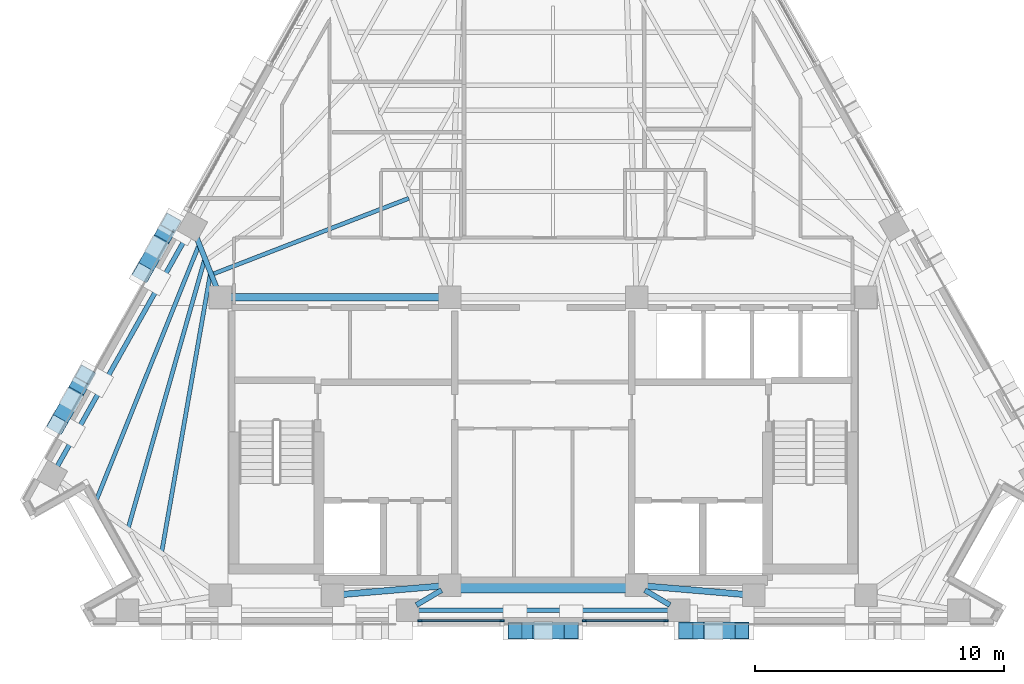
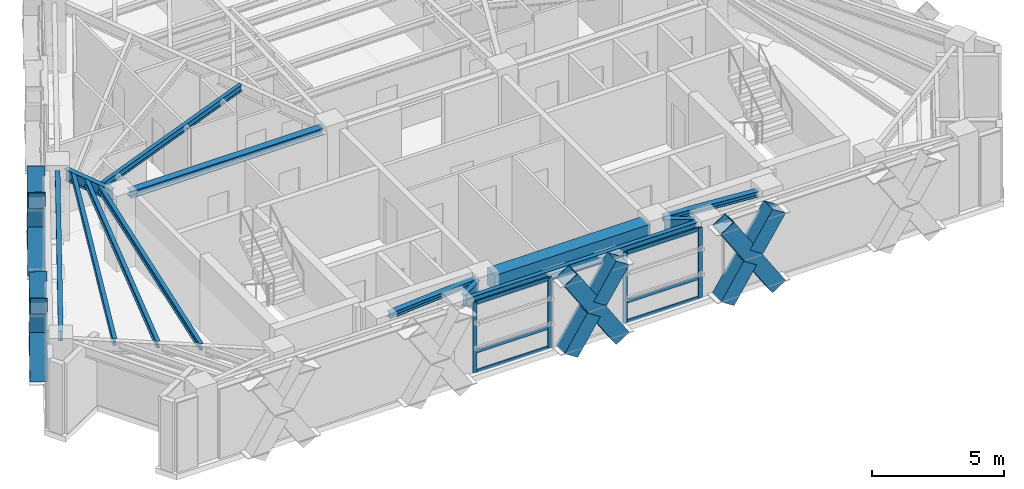
# One storey, part 2 of 13: 22 members, 13 beams, 2 elements without a shape of their own.
"""IFC4 building model written with IfcOpenShell, lengths in metres."""

from ifc_helpers import new_model, si_unit, direction, frame, origin, origin_2d, place, context, subcontext, project, spatial, rectangle, hollow_rectangle, i_section, extrude, material, material_profile, profile_set, type_object, element, aggregate, save


model = new_model("IFC4")

# Units and contexts
model_context = context("Model", 3, precision=1e-05, world=origin(), true_north=direction((0.0, 1.0)))
body_context = subcontext(model_context, "Body", "Model", "MODEL_VIEW")
ifc_project = project(units=[si_unit("LENGTHUNIT", "METRE"), si_unit("AREAUNIT", "SQUARE_METRE"), si_unit("VOLUMEUNIT", "CUBIC_METRE"), si_unit("PLANEANGLEUNIT", "RADIAN"), si_unit("MASSUNIT", "GRAM", prefix="KILO")], contexts=[model_context])

# Site, building, storey
site_placement = place(None, origin())
site = spatial("IfcSite", under=ifc_project, at=site_placement, CompositionType="ELEMENT")
building_placement = place(site_placement, origin())
building = spatial("IfcBuilding", under=site, at=building_placement, Name="Quenlor Broadcast Tower", CompositionType="ELEMENT")
storey_placement = place(building_placement, frame((0.0, 0.0, 214.89990234375)))
storey = spatial("IfcBuildingStorey", under=building, at=storey_placement, Name="L59", CompositionType="ELEMENT", Elevation=214.89990234375)

# Curtain wall, members
ifc_material_1 = material(Name="Architectural Terracotta and Low-E Glazing", Category="masonry")
curtain_wall_type = type_object("IfcCurtainWallType", Name="Unitised Terracotta Curtain Wall System Z4", PredefinedType="NOTDEFINED", material=ifc_material_1)
curtain_wall_1_placement = place(storey_placement, origin())
curtain_wall_1 = element("IfcCurtainWall", 1, at=curtain_wall_1_placement, inside=storey, type_object=curtain_wall_type, Name="L59 Curtain Wall CW4 (L59-S-G1)", PredefinedType="NOTDEFINED")
ifc_material_2 = material(Name="Aluminium 6063-T6", Category="aluminium")
ifc_material_profile_1 = material_profile(ifc_material_2, rectangle(XDim=0.068115234375, YDim=0.179931640625, at=origin_2d()))
ifc_profile_set_1 = profile_set([ifc_material_profile_1], Name="Aluminium 6063-T6 MULL68x180")
member_type_1 = type_object("IfcMemberType", Name="CW4 Aluminium Mullion MULL_CW4", PredefinedType="MULLION", material=ifc_profile_set_1)
member_1_placement = place(storey_placement, frame((4.933837890625, -17.77490234375, 0.0), z_axis=(0.0, 0.0, 1.0), x_axis=(0.0, -1.0, 0.0)))
member_1 = element("IfcMember", 2, at=member_1_placement, type_object=member_type_1, Name="CW4 mullion 1", PredefinedType="MULLION", context=body_context, shape_type="SweptSolid", body=[
    extrude(rectangle(XDim=0.068115234375, YDim=0.179931640625, at=origin_2d()), origin(), (0.0, 0.0, 1.0), 3.25),
])
member_2_placement = place(storey_placement, frame((1.655029296875, -17.77490234375, 0.0), z_axis=(0.0, 0.0, 1.0), x_axis=(0.0, -1.0, 0.0)))
member_2 = element("IfcMember", 3, at=member_2_placement, type_object=member_type_1, Name="CW4 mullion 2", PredefinedType="MULLION", context=body_context, shape_type="SweptSolid", body=[
    extrude(rectangle(XDim=0.068115234375, YDim=0.179931640625, at=origin_2d()), origin(), (0.0, 0.0, 1.0), 3.25),
])

curtain_wall_2_placement = place(storey_placement, origin())
curtain_wall_2 = element("IfcCurtainWall", 4, at=curtain_wall_2_placement, inside=storey, type_object=curtain_wall_type, Name="L59 Curtain Wall CW4 (L59-S-G2)", PredefinedType="NOTDEFINED")
member_3_placement = place(storey_placement, frame((-1.655029296875, -17.77490234375, 0.0), z_axis=(0.0, 0.0, 1.0), x_axis=(0.0, -1.0, 0.0)))
member_3 = element("IfcMember", 5, at=member_3_placement, type_object=member_type_1, Name="CW4 mullion 1", PredefinedType="MULLION", context=body_context, shape_type="SweptSolid", body=[
    extrude(rectangle(XDim=0.068115234375, YDim=0.179931640625, at=origin_2d()), origin(), (0.0, 0.0, 1.0), 3.25),
])
member_4_placement = place(storey_placement, frame((-4.933837890625, -17.77490234375, 0.0), z_axis=(0.0, 0.0, 1.0), x_axis=(0.0, -1.0, 0.0)))
member_4 = element("IfcMember", 6, at=member_4_placement, type_object=member_type_1, Name="CW4 mullion 2", PredefinedType="MULLION", context=body_context, shape_type="SweptSolid", body=[
    extrude(rectangle(XDim=0.068115234375, YDim=0.179931640625, at=origin_2d()), origin(), (0.0, 0.0, 1.0), 3.25),
])

# Member
ifc_material_3 = material(Name="Aluminium 6063-T6", Category="aluminium")
ifc_material_profile_2 = material_profile(ifc_material_3, rectangle(XDim=0.068115234375, YDim=0.14990234375, at=origin_2d()))
ifc_profile_set_2 = profile_set([ifc_material_profile_2], Name="Aluminium 6063-T6 TRAN68x150")
member_type_2 = type_object("IfcMemberType", Name="CW4 Aluminium Transom TRAN_CW4", PredefinedType="USERDEFINED", material=ifc_profile_set_2)
member_5_placement = place(storey_placement, frame((4.89990234375, -17.77490234375, 0.0341796875), z_axis=(-1.0, 0.0, 0.0), x_axis=(0.0, -1.0, 0.0)))
member_5 = element("IfcMember", 7, at=member_5_placement, type_object=member_type_2, Name="CW4 transom 1.1", ObjectType="TRANSOM", PredefinedType="USERDEFINED", context=body_context, shape_type="SweptSolid", body=[
    extrude(rectangle(XDim=0.068115234375, YDim=0.14990234375, at=origin_2d()), origin(), (0.0, 0.0, 1.0), 3.210693359375),
])

member_6_placement = place(storey_placement, frame((4.89990234375, -17.77490234375, 0.9501953125), z_axis=(-1.0, 0.0, 0.0), x_axis=(0.0, -1.0, 0.0)))
member_6 = element("IfcMember", 8, at=member_6_placement, type_object=member_type_2, Name="CW4 transom 1.2", ObjectType="TRANSOM", PredefinedType="USERDEFINED", context=body_context, shape_type="SweptSolid", body=[
    extrude(rectangle(XDim=0.068115234375, YDim=0.14990234375, at=origin_2d()), origin(), (0.0, 0.0, 1.0), 3.210693359375),
])

member_7_placement = place(storey_placement, frame((4.89990234375, -17.77490234375, 3.216064453125), z_axis=(-1.0, 0.0, 0.0), x_axis=(0.0, -1.0, 0.0)))
member_7 = element("IfcMember", 9, at=member_7_placement, type_object=member_type_2, Name="CW4 transom 1.3", ObjectType="TRANSOM", PredefinedType="USERDEFINED", context=body_context, shape_type="SweptSolid", body=[
    extrude(rectangle(XDim=0.068115234375, YDim=0.14990234375, at=origin_2d()), origin(), (0.0, 0.0, 1.0), 3.210693359375),
])

aggregate(curtain_wall_1, [member_1, member_2, member_5, member_6, member_7])

member_8_placement = place(storey_placement, frame((-1.689208984375, -17.77490234375, 0.0341796875), z_axis=(-1.0, 0.0, 0.0), x_axis=(0.0, -1.0, 0.0)))
member_8 = element("IfcMember", 10, at=member_8_placement, type_object=member_type_2, Name="CW4 transom 1.1", ObjectType="TRANSOM", PredefinedType="USERDEFINED", context=body_context, shape_type="SweptSolid", body=[
    extrude(rectangle(XDim=0.068115234375, YDim=0.14990234375, at=origin_2d()), origin(), (0.0, 0.0, 1.0), 3.210693359375),
])

member_9_placement = place(storey_placement, frame((-1.689208984375, -17.77490234375, 0.9501953125), z_axis=(-1.0, 0.0, 0.0), x_axis=(0.0, -1.0, 0.0)))
member_9 = element("IfcMember", 11, at=member_9_placement, type_object=member_type_2, Name="CW4 transom 1.2", ObjectType="TRANSOM", PredefinedType="USERDEFINED", context=body_context, shape_type="SweptSolid", body=[
    extrude(rectangle(XDim=0.068115234375, YDim=0.14990234375, at=origin_2d()), origin(), (0.0, 0.0, 1.0), 3.210693359375),
])

member_10_placement = place(storey_placement, frame((-1.689208984375, -17.77490234375, 3.216064453125), z_axis=(-1.0, 0.0, 0.0), x_axis=(0.0, -1.0, 0.0)))
member_10 = element("IfcMember", 12, at=member_10_placement, type_object=member_type_2, Name="CW4 transom 1.3", ObjectType="TRANSOM", PredefinedType="USERDEFINED", context=body_context, shape_type="SweptSolid", body=[
    extrude(rectangle(XDim=0.068115234375, YDim=0.14990234375, at=origin_2d()), origin(), (0.0, 0.0, 1.0), 3.210693359375),
])

aggregate(curtain_wall_2, [member_3, member_4, member_8, member_9, member_10])

# Beams
ifc_material_4 = material(Name="Concrete C50/60", Category="concrete")
ifc_material_profile_3 = material_profile(ifc_material_4, rectangle(XDim=0.60009765625, YDim=0.800048828125, at=origin_2d()))
ifc_profile_set_3 = profile_set([ifc_material_profile_3], Name="Concrete C50/60 RCB600x800")
beam_type_1 = type_object("IfcBeamType", Name="Core Coupling Beam Concrete C50/60 600x800", PredefinedType="BEAM", material=ifc_profile_set_3)
beam_1_placement = place(storey_placement, frame((-3.389892578125, -16.35009765625, 2.85009765625), z_axis=(1.0, 0.0, 0.0), x_axis=(0.0, 1.0, 0.0)))
element("IfcBeam", 13, at=beam_1_placement, inside=storey, type_object=beam_type_1, Name="L59 Core Coupling Beam 6", PredefinedType="BEAM", context=body_context, shape_type="SweptSolid", body=[
    extrude(rectangle(XDim=0.60009765625, YDim=0.800048828125, at=origin_2d()), origin(), (0.0, 0.0, 1.0), 6.77978515625),
])
ifc_material_5 = material(Name="Steel S355", Category="steel")
ifc_material_profile_4 = material_profile(ifc_material_5, i_section(OverallWidth=0.25390625, OverallDepth=0.25390625, WebThickness=0.008544921875, FlangeThickness=0.01416015625, FilletRadius=0.013916015625, at=origin_2d()))
ifc_profile_set_4 = profile_set([ifc_material_profile_4], Name="Steel S355 250UC72.9")
beam_type_2 = type_object("IfcBeamType", Name="Core Opening Lintel Beam Steel S355 250UC72.9", PredefinedType="LINTEL", material=ifc_profile_set_4)
for number, where, z_axis, x_axis, name in (
    (14, (-8.09130859375, -16.719482421875, 3.123291015625), (0.996399763903, 0.084779186679, 0.0), (-0.084779186679, 0.996399763903, 0.0), "L59 Core Opening Lintel Beam 4"),
    (15, (4.108642578125, -16.380615234375, 3.123291015625), (0.996399763903, -0.084779186679, 0.0), (0.084779186679, 0.996399763903, 0.0), "L59 Core Opening Lintel Beam 5"),
):
    element("IfcBeam", number, at=place(storey_placement, frame(where, z_axis=z_axis, x_axis=x_axis)), inside=storey, type_object=beam_type_2, Name=name, PredefinedType="LINTEL", context=body_context, shape_type="SweptSolid", body=[
        extrude(i_section(OverallWidth=0.25390625, OverallDepth=0.25390625, WebThickness=0.008544921875, FlangeThickness=0.01416015625, FilletRadius=0.013916015625, at=origin_2d()), origin(), (0.0, 0.0, 1.0), 3.9970703125),
    ])
ifc_material_6 = material(Name="Steel S355", Category="steel")
ifc_material_profile_5 = material_profile(ifc_material_6, i_section(OverallWidth=0.306884765625, OverallDepth=0.314697265625, WebThickness=0.011962890625, FlangeThickness=0.018798828125, FilletRadius=0.0166015625, at=origin_2d()))
ifc_profile_set_5 = profile_set([ifc_material_profile_5], Name="Steel S355 310UC118")
beam_type_3 = type_object("IfcBeamType", Name="Core Tie Beam Steel S355 310UC118", PredefinedType="BEAM", material=ifc_profile_set_5)
beam_2_placement = place(storey_placement, frame((-12.590087890625, -4.800048828125, 3.0927734375), z_axis=(1.0, 0.0, 0.0), x_axis=(0.0, 1.0, 0.0)))
element("IfcBeam", 16, at=beam_2_placement, inside=storey, type_object=beam_type_3, Name="L59 Core Tie Beam 1", PredefinedType="BEAM", context=body_context, shape_type="SweptSolid", body=[
    extrude(i_section(OverallWidth=0.306884765625, OverallDepth=0.314697265625, WebThickness=0.011962890625, FlangeThickness=0.018798828125, FilletRadius=0.0166015625, at=origin_2d()), origin(), (0.0, 0.0, 1.0), 8.47998046875),
])

# Members
ifc_material_7 = material(Name="Steel S355", Category="steel")
ifc_material_profile_6 = material_profile(ifc_material_7, hollow_rectangle(XDim=0.679931640625, YDim=0.679931640625, WallThickness=0.02490234375, at=origin_2d()))
ifc_profile_set_6 = profile_set([ifc_material_profile_6], Name="Steel S355 RHS680x680x25")
member_type_3 = type_object("IfcMemberType", Name="Perimeter Diagonal Lattice Brace Z3-Z4 Steel S355 RHS680x25", PredefinedType="BRACE", material=ifc_profile_set_6)
member_11_placement = place(storey_placement, frame((7.978515625, -18.169921875, -0.119873046875), z_axis=(-0.541794306908, 0.0, 0.840511111766), x_axis=(0.0, -1.0, 0.0)))
element("IfcMember", 17, at=member_11_placement, inside=storey, type_object=member_type_3, Name="L59 Perimeter Diamond Lattice S-C2XA", PredefinedType="BRACE", context=body_context, shape_type="SweptSolid", body=[
    extrude(hollow_rectangle(XDim=0.679931640625, YDim=0.679931640625, WallThickness=0.02490234375, at=origin_2d()), origin(), (0.0, 0.0, 1.0), 4.1640625),
])
member_12_placement = place(storey_placement, frame((5.722412109375, -18.169921875, -0.119873046875), z_axis=(0.54184151587, 0.0, 0.840480678945), x_axis=(0.0, 1.0, 0.0)))
element("IfcMember", 18, at=member_12_placement, inside=storey, type_object=member_type_3, Name="L59 Perimeter Diamond Lattice S-C2XB1", PredefinedType="BRACE", context=body_context, shape_type="SweptSolid", body=[
    extrude(hollow_rectangle(XDim=0.679931640625, YDim=0.679931640625, WallThickness=0.02490234375, at=origin_2d()), origin(), (0.0, 0.0, 1.0), 1.83203125),
])
member_13_placement = place(storey_placement, frame((6.98583984375, -18.169921875, 1.840087890625), z_axis=(0.541780832962, 0.0, 0.840519796932), x_axis=(0.0, 1.0, 0.0)))
element("IfcMember", 19, at=member_13_placement, inside=storey, type_object=member_type_3, Name="L59 Perimeter Diamond Lattice S-C2XB2", PredefinedType="BRACE", context=body_context, shape_type="SweptSolid", body=[
    extrude(hollow_rectangle(XDim=0.679931640625, YDim=0.679931640625, WallThickness=0.02490234375, at=origin_2d()), origin(), (0.0, 0.0, 1.0), 1.832275390625),
])
member_14_placement = place(storey_placement, frame((1.1279296875, -18.169921875, -0.119873046875), z_axis=(-0.541752885669, 0.0, 0.840537810493), x_axis=(0.0, -1.0, 0.0)))
element("IfcMember", 20, at=member_14_placement, inside=storey, type_object=member_type_3, Name="L59 Perimeter Diamond Lattice S-C3XA", PredefinedType="BRACE", context=body_context, shape_type="SweptSolid", body=[
    extrude(hollow_rectangle(XDim=0.679931640625, YDim=0.679931640625, WallThickness=0.02490234375, at=origin_2d()), origin(), (0.0, 0.0, 1.0), 4.1640625),
])
member_15_placement = place(storey_placement, frame((-1.1279296875, -18.169921875, -0.119873046875), z_axis=(0.54174736867, 0.0, 0.840541366347), x_axis=(0.0, 1.0, 0.0)))
element("IfcMember", 21, at=member_15_placement, inside=storey, type_object=member_type_3, Name="L59 Perimeter Diamond Lattice S-C3XB1", PredefinedType="BRACE", context=body_context, shape_type="SweptSolid", body=[
    extrude(hollow_rectangle(XDim=0.679931640625, YDim=0.679931640625, WallThickness=0.02490234375, at=origin_2d()), origin(), (0.0, 0.0, 1.0), 1.831787109375),
])
member_16_placement = place(storey_placement, frame((0.135498046875, -18.169921875, 1.840087890625), z_axis=(0.541686687545, 0.0, 0.840580473563), x_axis=(0.0, 1.0, 0.0)))
element("IfcMember", 22, at=member_16_placement, inside=storey, type_object=member_type_3, Name="L59 Perimeter Diamond Lattice S-C3XB2", PredefinedType="BRACE", context=body_context, shape_type="SweptSolid", body=[
    extrude(hollow_rectangle(XDim=0.679931640625, YDim=0.679931640625, WallThickness=0.02490234375, at=origin_2d()), origin(), (0.0, 0.0, 1.0), 1.83203125),
])
member_17_placement = place(storey_placement, frame((-19.49609375, -9.912841796875, -0.119873046875), z_axis=(0.269547055694, 0.479136497832, 0.835327840559), x_axis=(-0.871550060774, 0.49030652817, 0.0)))
element("IfcMember", 23, at=member_17_placement, inside=storey, type_object=member_type_3, Name="L59 Perimeter Diamond Lattice NW-C1XA", PredefinedType="BRACE", context=body_context, shape_type="SweptSolid", body=[
    extrude(hollow_rectangle(XDim=0.679931640625, YDim=0.679931640625, WallThickness=0.02490234375, at=origin_2d()), origin(), (0.0, 0.0, 1.0), 4.18994140625),
])
for number, where, z_axis, x_axis, name in (
    (24, (-18.36669921875, -7.9052734375, -0.119873046875), (-0.269535527865, -0.479130165145, 0.835335192642), (0.871556252289, -0.490295522207, 0.0), "L59 Perimeter Diamond Lattice NW-C1XB1"),
    (25, (-18.998779296875, -9.02880859375, 1.8388671875), (-0.269535527865, -0.479130165145, 0.835335192642), (0.871556252289, -0.490295522207, 0.0), "L59 Perimeter Diamond Lattice NW-C1XB2"),
):
    element("IfcMember", number, at=place(storey_placement, frame(where, z_axis=z_axis, x_axis=x_axis)), inside=storey, type_object=member_type_3, Name=name, PredefinedType="BRACE", context=body_context, shape_type="SweptSolid", body=[
        extrude(hollow_rectangle(XDim=0.679931640625, YDim=0.679931640625, WallThickness=0.02490234375, at=origin_2d()), origin(), (0.0, 0.0, 1.0), 1.844970703125),
    ])
member_18_placement = place(storey_placement, frame((-16.06689453125, -3.816650390625, -0.119873046875), z_axis=(0.269547055694, 0.479136497832, 0.835327840559), x_axis=(-0.871550060774, 0.49030652817, 0.0)))
element("IfcMember", 26, at=member_18_placement, inside=storey, type_object=member_type_3, Name="L59 Perimeter Diamond Lattice NW-C2XA", PredefinedType="BRACE", context=body_context, shape_type="SweptSolid", body=[
    extrude(hollow_rectangle(XDim=0.679931640625, YDim=0.679931640625, WallThickness=0.02490234375, at=origin_2d()), origin(), (0.0, 0.0, 1.0), 4.18994140625),
])
for number, where, z_axis, x_axis, name in (
    (27, (-14.9375, -1.80908203125, -0.119873046875), (-0.269535527865, -0.479130165145, 0.835335192642), (0.871556252289, -0.490295522207, 0.0), "L59 Perimeter Diamond Lattice NW-C2XB1"),
    (28, (-15.569580078125, -2.9326171875, 1.8388671875), (-0.269535527865, -0.479130165145, 0.835335192642), (0.871556252289, -0.490295522207, 0.0), "L59 Perimeter Diamond Lattice NW-C2XB2"),
):
    element("IfcMember", number, at=place(storey_placement, frame(where, z_axis=z_axis, x_axis=x_axis)), inside=storey, type_object=member_type_3, Name=name, PredefinedType="BRACE", context=body_context, shape_type="SweptSolid", body=[
        extrude(hollow_rectangle(XDim=0.679931640625, YDim=0.679931640625, WallThickness=0.02490234375, at=origin_2d()), origin(), (0.0, 0.0, 1.0), 1.844970703125),
    ])

# Beams
ifc_material_8 = material(Name="Steel S355", Category="steel")
ifc_material_profile_7 = material_profile(ifc_material_8, i_section(OverallWidth=0.18994140625, OverallDepth=0.453857421875, WebThickness=0.008544921875, FlangeThickness=0.0126953125, FilletRadius=0.011474609375, at=origin_2d()))
ifc_profile_set_7 = profile_set([ifc_material_profile_7], Name="Steel S355 460UB67.1")
beam_type_4 = type_object("IfcBeamType", Name="Perimeter Spandrel Beam Z4 Steel S355 460UB67.1", PredefinedType="SPANDREL", material=ifc_profile_set_7)
beam_3_placement = place(storey_placement, frame((-5.02783203125, -17.35009765625, 3.023193359375), z_axis=(1.0, 0.0, 0.0), x_axis=(0.0, 1.0, 0.0)))
element("IfcBeam", 29, at=beam_3_placement, inside=storey, type_object=beam_type_4, Name="L59 Spandrel Beam S2-S3", PredefinedType="SPANDREL", context=body_context, shape_type="SweptSolid", body=[
    extrude(i_section(OverallWidth=0.18994140625, OverallDepth=0.453857421875, WebThickness=0.008544921875, FlangeThickness=0.0126953125, FilletRadius=0.011474609375, at=origin_2d()), origin(), (0.0, 0.0, 1.0), 10.0556640625),
])
beam_4_placement = place(storey_placement, frame((-14.2783203125, -2.3095703125, 3.023193359375), z_axis=(-0.490272131974, -0.871569410093, 0.0), x_axis=(0.871569410093, -0.490272131974, 0.0)))
element("IfcBeam", 30, at=beam_4_placement, inside=storey, type_object=beam_type_4, Name="L59 Spandrel Beam NW3-NW4", PredefinedType="SPANDREL", context=body_context, shape_type="SweptSolid", body=[
    extrude(i_section(OverallWidth=0.18994140625, OverallDepth=0.453857421875, WebThickness=0.008544921875, FlangeThickness=0.0126953125, FilletRadius=0.011474609375, at=origin_2d()), origin(), (0.0, 0.0, 1.0), 10.6416015625),
])
ifc_material_9 = material(Name="Steel S355", Category="steel")
ifc_material_profile_8 = material_profile(ifc_material_9, i_section(OverallWidth=0.166015625, OverallDepth=0.30712890625, WebThickness=0.006591796875, FlangeThickness=0.01171875, FilletRadius=0.011474609375, at=origin_2d()))
ifc_profile_set_8 = profile_set([ifc_material_profile_8], Name="Steel S355 310UB46.2")
beam_type_5 = type_object("IfcBeamType", Name="Tower Composite Joist Z4-Z5 Steel S355 310UB46.2", PredefinedType="JOIST", material=ifc_profile_set_8)
beam_5_placement = place(storey_placement, frame((-13.236083984375, -3.85986328125, 3.096435546875), z_axis=(0.932639299023, 0.360810113381, 0.0), x_axis=(-0.360810113381, 0.932639299023, 0.0)))
element("IfcBeam", 31, at=beam_5_placement, inside=storey, type_object=beam_type_5, Name="L59 Secondary Composite Joist 7", PredefinedType="JOIST", context=body_context, shape_type="SweptSolid", body=[
    extrude(i_section(OverallWidth=0.166015625, OverallDepth=0.30712890625, WebThickness=0.006591796875, FlangeThickness=0.01171875, FilletRadius=0.011474609375, at=origin_2d()), origin(), (0.0, 0.0, 1.0), 8.413330078125),
])
beam_6_placement = place(storey_placement, frame((-15.297607421875, -14.98828125, 3.096435546875), z_axis=(0.172003691938, 0.985096304916, 0.0), x_axis=(-0.985096304916, 0.172003691938, 0.0)))
element("IfcBeam", 32, at=beam_6_placement, inside=storey, type_object=beam_type_5, Name="L59 Secondary Composite Joist 13", PredefinedType="JOIST", context=body_context, shape_type="SweptSolid", body=[
    extrude(i_section(OverallWidth=0.166015625, OverallDepth=0.30712890625, WebThickness=0.006591796875, FlangeThickness=0.01171875, FilletRadius=0.011474609375, at=origin_2d()), origin(), (0.0, 0.0, 1.0), 11.274169921875),
])
beam_7_placement = place(storey_placement, frame((-16.638671875, -14.028564453125, 3.096435546875), z_axis=(0.273447576454, 0.961886907558, 0.0), x_axis=(-0.961886907558, 0.273447576454, 0.0)))
element("IfcBeam", 33, at=beam_7_placement, inside=storey, type_object=beam_type_5, Name="L59 Secondary Composite Joist 14", PredefinedType="JOIST", context=body_context, shape_type="SweptSolid", body=[
    extrude(i_section(OverallWidth=0.166015625, OverallDepth=0.30712890625, WebThickness=0.006591796875, FlangeThickness=0.01171875, FilletRadius=0.011474609375, at=origin_2d()), origin(), (0.0, 0.0, 1.0), 11.142333984375),
])
beam_8_placement = place(storey_placement, frame((-17.97998046875, -13.069580078125, 3.096435546875), z_axis=(0.373094895103, 0.927793187757, 0.0), x_axis=(-0.927793187757, 0.373094895103, 0.0)))
element("IfcBeam", 34, at=beam_8_placement, inside=storey, type_object=beam_type_5, Name="L59 Secondary Composite Joist 15", PredefinedType="JOIST", context=body_context, shape_type="SweptSolid", body=[
    extrude(i_section(OverallWidth=0.166015625, OverallDepth=0.30712890625, WebThickness=0.006591796875, FlangeThickness=0.01171875, FilletRadius=0.011474609375, at=origin_2d()), origin(), (0.0, 0.0, 1.0), 11.13525390625),
])
ifc_material_10 = material(Name="Steel S355", Category="steel")
ifc_material_profile_9 = material_profile(ifc_material_10, i_section(OverallWidth=0.208984375, OverallDepth=0.5283203125, WebThickness=0.009521484375, FlangeThickness=0.01318359375, FilletRadius=0.013916015625, at=origin_2d()))
ifc_profile_set_9 = profile_set([ifc_material_profile_9], Name="Steel S355 530UB82.0")
beam_type_6 = type_object("IfcBeamType", Name="Tower Primary Floor Beam Z4 Steel S355 530UB82.0", PredefinedType="BEAM", material=ifc_profile_set_9)
for number, where, z_axis, x_axis, name in (
    (35, (-5.085205078125, -17.14111328125, 2.986083984375), (0.86032875258, 0.509739578102, 0.0), (-0.509739578102, 0.86032875258, 0.0), "L59 Primary Radial Beam S2"),
    (36, (5.085205078125, -17.14111328125, 2.986083984375), (-0.86032875258, 0.509739578102, 0.0), (-0.509739578102, -0.86032875258, 0.0), "L59 Primary Radial Beam S3"),
):
    element("IfcBeam", number, at=place(storey_placement, frame(where, z_axis=z_axis, x_axis=x_axis)), inside=storey, type_object=beam_type_6, Name=name, PredefinedType="BEAM", context=body_context, shape_type="SweptSolid", body=[
        extrude(i_section(OverallWidth=0.208984375, OverallDepth=0.5283203125, WebThickness=0.009521484375, FlangeThickness=0.01318359375, FilletRadius=0.013916015625, at=origin_2d()), origin(), (0.0, 0.0, 1.0), 1.171875),
    ])
beam_9_placement = place(storey_placement, frame((-13.926513671875, -2.33349609375, 2.986083984375), z_axis=(0.368110359783, -0.92978210513, 0.0), x_axis=(0.92978210513, 0.368110359783, 0.0)))
element("IfcBeam", 37, at=beam_9_placement, inside=storey, type_object=beam_type_6, Name="L59 Primary Radial Beam NW3", PredefinedType="BEAM", context=body_context, shape_type="SweptSolid", body=[
    extrude(i_section(OverallWidth=0.208984375, OverallDepth=0.5283203125, WebThickness=0.009521484375, FlangeThickness=0.01318359375, FilletRadius=0.013916015625, at=origin_2d()), origin(), (0.0, 0.0, 1.0), 2.27294921875),
])

save(model, "model.ifc")
